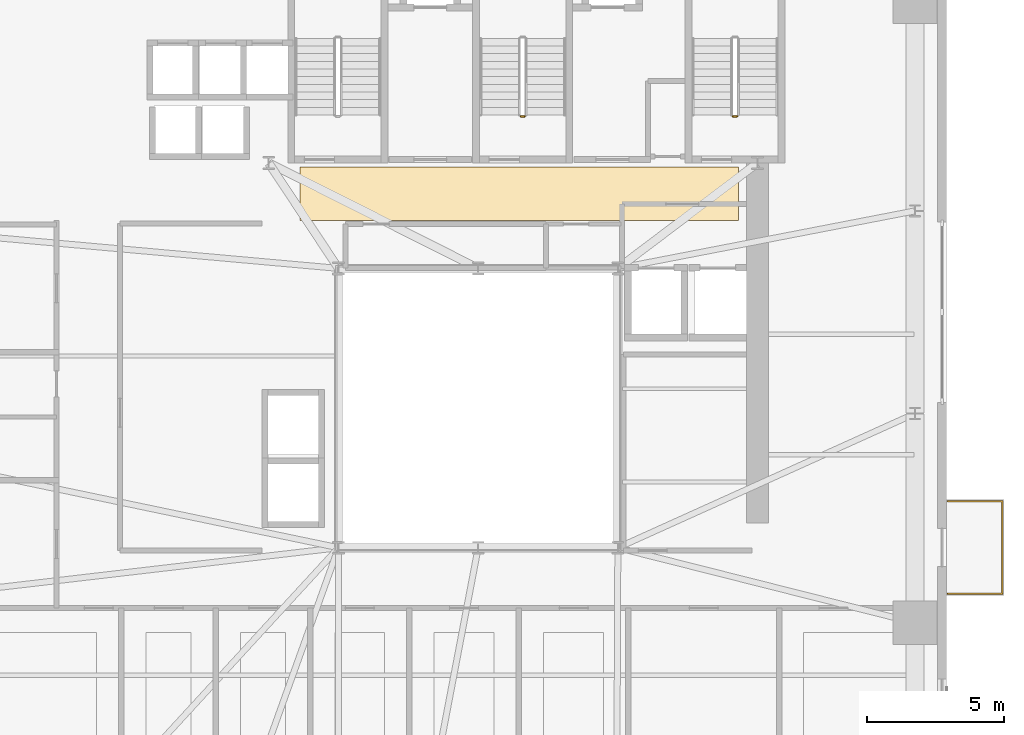
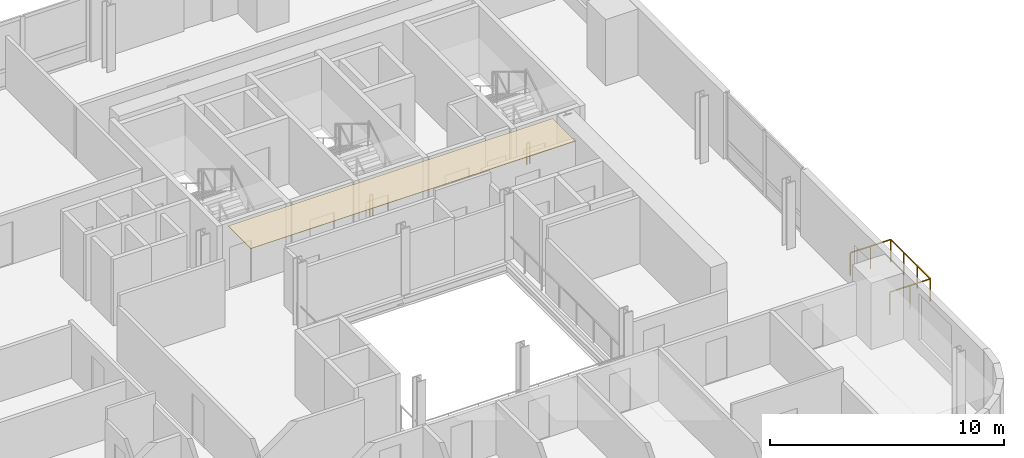
# One storey, part 12 of 14: 3 railings, 1 covering.
"""IFC4 building model written with IfcOpenShell, lengths in metres."""

from ifc_helpers import new_model, si_unit, direction, frame, origin, origin_2d, place, context, subcontext, project, spatial, polyline, rectangle, outline, extrude, source, transform, mapped, material, layer, layer_set, type_object, element, save


model = new_model("IFC4")

# Units and contexts
model_context = context("Model", 3, precision=1e-05, world=origin(), true_north=direction((0.0, 1.0)))
body_context = subcontext(model_context, "Body", "Model", "MODEL_VIEW")
ifc_project = project(units=[si_unit("LENGTHUNIT", "METRE"), si_unit("AREAUNIT", "SQUARE_METRE"), si_unit("VOLUMEUNIT", "CUBIC_METRE"), si_unit("PLANEANGLEUNIT", "RADIAN"), si_unit("MASSUNIT", "GRAM", prefix="KILO")], contexts=[model_context])

# Site, building, storey
site_placement = place(None, origin())
site = spatial("IfcSite", under=ifc_project, at=site_placement, CompositionType="ELEMENT")
building_placement = place(site_placement, origin())
building = spatial("IfcBuilding", under=site, at=building_placement, Name="Vardaveli Station Tower", CompositionType="ELEMENT")
storey_placement = place(building_placement, frame((0.0, 0.0, 140.89990234375)))
storey = spatial("IfcBuildingStorey", under=building, at=storey_placement, Name="L36", CompositionType="ELEMENT", Elevation=140.89990234375)

# Covering
ifc_material_1 = material(Name="Perforated acoustic mineral ceiling")
ifc_layer = layer(ifc_material_1, 0.02001953125, Name="Perforated acoustic mineral ceiling")
ifc_layer_set = layer_set([ifc_layer], Name="Perforated acoustic mineral ceiling")
covering_type = type_object("IfcCoveringType", Name="COV-CEIL-AC20", PredefinedType="CEILING", material=ifc_layer_set)
covering_placement = place(storey_placement, frame((0.0, 0.0, 3.445068359375)))
element("IfcCovering", 1, at=covering_placement, inside=storey, type_object=covering_type, Name="CEIL-L36-8", PredefinedType="CEILING", context=body_context, shape_type="SweptSolid", body=[
    extrude(outline(polyline([(29.800048828125, 28.550048828125), (45.800048828125, 28.550048828125), (45.800048828125, 30.5), (29.800048828125, 30.5), (29.800048828125, 28.550048828125)])), origin(), (0.0, 0.0, 1.0), 0.02001953125),
])

# Railings
ifc_material_2 = material(Name="Laminated glass and stainless steel balustrade", Category="steel")
railing_type_1 = type_object("IfcRailingType", Name="RL-BAL-1200", PredefinedType="BALUSTRADE", material=ifc_material_2)
shared_shape_1 = source(origin(), body_context, "Body", "SweptSolid", [
    extrude(rectangle(XDim=0.048095703125, YDim=0.048095703125, at=origin_2d()), frame((0.0, 0.0, 1.17578125), z_axis=(1.0, 0.0, 0.0), x_axis=(0.0, 1.0, 0.0)), (0.0, 0.0, 1.0), 2.0),
    extrude(rectangle(XDim=0.048095703125, YDim=0.048095703125, at=origin_2d()), frame((2.0, 0.0, 1.17578125), z_axis=(0.0, 1.0, 0.0), x_axis=(-1.0, 0.0, 0.0)), (0.0, 0.0, 1.0), 3.3798828125),
    extrude(rectangle(XDim=0.048095703125, YDim=0.048095703125, at=origin_2d()), frame((2.0, 3.3798828125, 1.17578125), z_axis=(-1.0, 0.0, 0.0), x_axis=(0.0, -1.0, 0.0)), (0.0, 0.0, 1.0), 2.0),
    extrude(rectangle(XDim=0.0419921875, YDim=0.0419921875, at=origin_2d()), origin(), (0.0, 0.0, 1.0), 1.15185546875),
    extrude(rectangle(XDim=0.0419921875, YDim=0.0419921875, at=origin_2d()), frame((1.0, 0.0, 0.0)), (0.0, 0.0, 1.0), 1.15185546875),
    extrude(rectangle(XDim=0.0419921875, YDim=0.0419921875, at=origin_2d()), frame((2.0, 0.0, 0.0)), (0.0, 0.0, 1.0), 1.15185546875),
    extrude(rectangle(XDim=0.0419921875, YDim=0.0419921875, at=origin_2d()), frame((2.0, 1.126708984375, 0.0)), (0.0, 0.0, 1.0), 1.15185546875),
    extrude(rectangle(XDim=0.0419921875, YDim=0.0419921875, at=origin_2d()), frame((2.0, 2.253173828125, 0.0)), (0.0, 0.0, 1.0), 1.15185546875),
    extrude(rectangle(XDim=0.0419921875, YDim=0.0419921875, at=origin_2d()), frame((2.0, 3.3798828125, 0.0)), (0.0, 0.0, 1.0), 1.15185546875),
    extrude(rectangle(XDim=0.0419921875, YDim=0.0419921875, at=origin_2d()), frame((1.0, 3.3798828125, 0.0)), (0.0, 0.0, 1.0), 1.15185546875),
    extrude(rectangle(XDim=0.0419921875, YDim=0.0419921875, at=origin_2d()), frame((0.0, 3.3798828125, 0.0)), (0.0, 0.0, 1.0), 1.15185546875),
])
railing_placement = place(storey_placement, frame((53.43994140625, 14.92041015625, 0.0)))
element("IfcRailing", 2, at=railing_placement, inside=storey, type_object=railing_type_1, Name="RL-LOG-L36-04", PredefinedType="BALUSTRADE", context=body_context, shape_type="MappedRepresentation", body=[
    mapped(shared_shape_1, transform((0.0, 0.0, 0.0), scale=1.0)),
])
ifc_material_3 = material(Name="Brushed AISI 316 stainless steel", Category="steel")
railing_type_2 = type_object("IfcRailingType", Name="RL-GUARD-1150", PredefinedType="GUARDRAIL", material=ifc_material_3)
shared_shape_2 = source(origin(), body_context, "Body", "SweptSolid", [
    extrude(rectangle(XDim=0.048095703125, YDim=0.048095703125, at=origin_2d()), frame((0.0, 0.0, 1.1259765625), z_axis=(-1.0, 0.0, 0.0), x_axis=(0.0, -1.0, 0.0)), (0.0, 0.0, 1.0), 0.14990234375),
    extrude(rectangle(XDim=0.0419921875, YDim=0.0419921875, at=origin_2d()), origin(), (0.0, 0.0, 1.0), 1.101806640625),
    extrude(rectangle(XDim=0.0419921875, YDim=0.0419921875, at=origin_2d()), frame((-0.14990234375, 0.0, 0.0)), (0.0, 0.0, 1.0), 1.101806640625),
])
for number, where, name in (
    (3, (38.0, 32.35009765625, 0.0), "L36 ST-2 stair guard 4"),
    (4, (45.75, 32.35009765625, 0.0), "L36 ST-3 stair guard 4"),
):
    element("IfcRailing", number, at=place(storey_placement, frame(where)), inside=storey, type_object=railing_type_2, Name=name, PredefinedType="GUARDRAIL", context=body_context, shape_type="MappedRepresentation", body=[
        mapped(shared_shape_2, transform((0.0, 0.0, 0.0), scale=1.0)),
    ])

save(model, "model.ifc")
